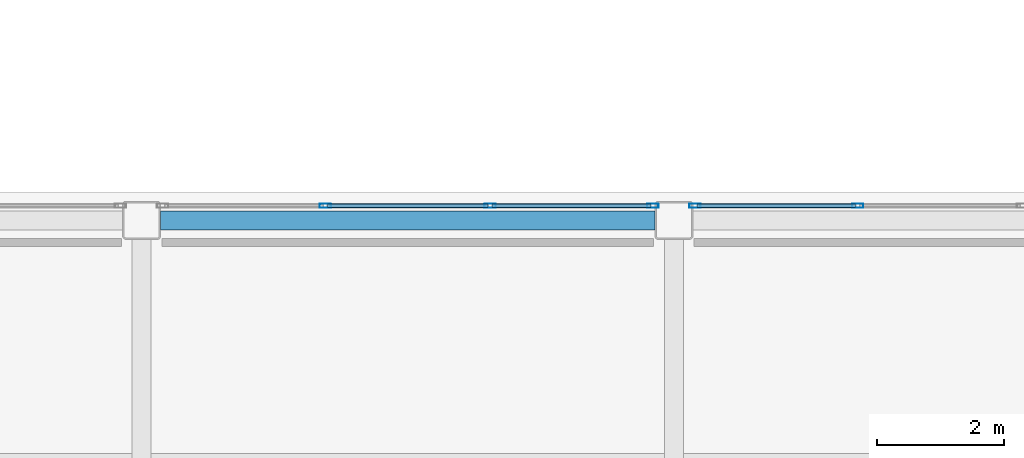
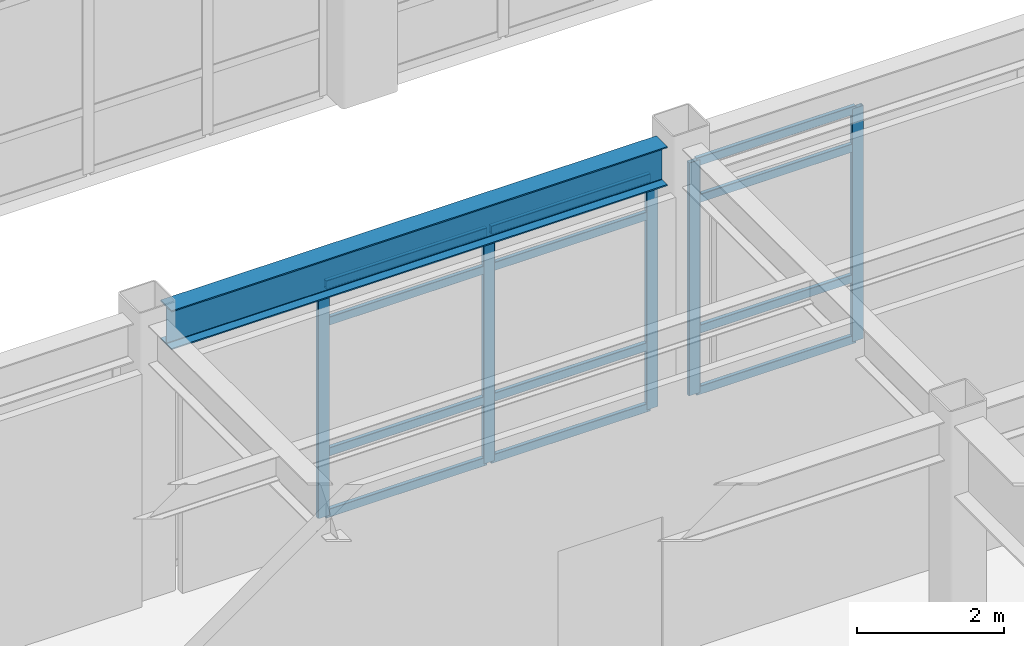
# One storey, part 31 of 172: 17 members, 1 beam, 2 elements without a shape of their own.
"""IFC4 building model written with IfcOpenShell, lengths in metres."""

import ifcopenshell
import ifcopenshell.guid

model = None  # the IFC model being written
_history = None  # IfcOwnerHistory: only IFC2X3 demands one
_inside = {}  # id of a spatial element -> (the spatial element, [elements in it])
_under = {}  # id of a project, library or spatial element -> (it, [spatial elements below it])
_declared = {}  # id of a project -> (the project, [libraries it declares])
_typed = {}  # id of a type object -> (the type object, [elements of that type])
_made_of = {}  # id of a material, layer set ... -> (it, [elements and type objects made of it])


def new_model(schema):
    """Start an empty IFC model of exactly this schema.

    Asked for "IFC4X3", IfcOpenShell would pick the latest addendum, in which some entities
    have other attributes; the version numbers below select the first issue.
    IFC2X3 requires an IfcOwnerHistory on every rooted entity: one is made here for all.
    """
    global model, _history
    if schema == "IFC4X3":
        model = ifcopenshell.file(schema_version=(4, 3, 0, 0))
    else:
        model = ifcopenshell.file(schema=schema)
    _inside.clear()
    _under.clear()
    _declared.clear()
    _typed.clear()
    _made_of.clear()
    _history = None
    if model.schema == "IFC2X3":
        org = make("IfcOrganization", Name="unknown")
        user = make(
            "IfcPersonAndOrganization",
            ThePerson=make("IfcPerson", FamilyName="unknown"),
            TheOrganization=org,
        )
        app = make(
            "IfcApplication",
            ApplicationDeveloper=org,
            Version="unknown",
            ApplicationFullName="unknown",
            ApplicationIdentifier="unknown",
        )
        _history = make(
            "IfcOwnerHistory",
            OwningUser=user,
            OwningApplication=app,
            ChangeAction="ADDED",
            CreationDate=0,
        )
    return model


def make(cls, **values):
    """One entity of the class cls with the attributes given. An attribute that is None is left unset."""
    return model.create_entity(
        cls, **{name: value for name, value in values.items() if value is not None}
    )


def rooted(cls, **values):
    """An entity with a GlobalId (a new one), such as an element, a storey or a relation."""
    return make(cls, GlobalId=ifcopenshell.guid.new(), OwnerHistory=_history, **values)


def si_unit(unit_type, name, prefix=None):
    """IfcSIUnit, for example si_unit("LENGTHUNIT", "METRE", prefix="MILLI")."""
    return make("IfcSIUnit", UnitType=unit_type, Prefix=prefix, Name=name)


def assignment(units):
    """IfcUnitAssignment: the units of a project."""
    return None if units is None else make("IfcUnitAssignment", Units=units)


def point(xyz):
    """IfcCartesianPoint."""
    return None if xyz is None else make("IfcCartesianPoint", Coordinates=xyz)


def direction(xyz):
    """IfcDirection."""
    return None if xyz is None else make("IfcDirection", DirectionRatios=xyz)


def frame(location, z_axis=None, x_axis=None):
    """IfcAxis2Placement3D, a coordinate frame: its origin and axes. An axis left out is left unset."""
    return make(
        "IfcAxis2Placement3D",
        Location=point(location),
        Axis=direction(z_axis),
        RefDirection=direction(x_axis),
    )


def frame_2d(location, x_axis=None):
    """IfcAxis2Placement2D, a coordinate frame in the plane: its origin and x axis."""
    return make(
        "IfcAxis2Placement2D", Location=point(location), RefDirection=direction(x_axis)
    )


def origin():
    """The frame at (0, 0, 0) with its axes left unset."""
    return frame((0.0, 0.0, 0.0))


def origin_2d():
    """The frame at (0, 0) in the plane with its x axis left unset."""
    return frame_2d((0.0, 0.0))


def place(relative_to, where):
    """IfcLocalPlacement: puts the frame where relative to a parent placement (None: the world)."""
    return make(
        "IfcLocalPlacement", PlacementRelTo=relative_to, RelativePlacement=where
    )


def context(
    kind, dimensions, precision=None, world=None, true_north=None, identifier=None
):
    """IfcGeometricRepresentationContext, for example the 3D "Model" context."""
    return make(
        "IfcGeometricRepresentationContext",
        ContextIdentifier=identifier,
        ContextType=kind,
        CoordinateSpaceDimension=dimensions,
        Precision=precision,
        WorldCoordinateSystem=world,
        TrueNorth=true_north,
    )


def subcontext(parent, identifier, kind, view, scale=None):
    """IfcGeometricRepresentationSubContext, for example "Body" below "Model"."""
    return make(
        "IfcGeometricRepresentationSubContext",
        ContextIdentifier=identifier,
        ContextType=kind,
        ParentContext=parent,
        TargetScale=scale,
        TargetView=view,
    )


def project(units=None, contexts=None):
    """IfcProject with its units and contexts."""
    return rooted(
        "IfcProject",
        Name="project",
        RepresentationContexts=contexts,
        UnitsInContext=assignment(units),
    )


def spatial(cls, under=None, at=None, **own):
    """A site, building, storey or space (cls), placed at a placement, below another one or the project."""
    s = rooted(cls, ObjectPlacement=at, **own)
    if under is not None:
        _under.setdefault(under.id(), (under, []))[1].append(s)
    return s


def profile(cls, at=None, kind="AREA", **sizes):
    """A parametric profile (cls). Its sizes go by their IFC names, for example OverallWidth=200.0."""
    return make(cls, ProfileType=kind, Position=at, **sizes)


def hollow_rectangle(**sizes):
    """IfcRectangleHollowProfileDef."""
    return profile("IfcRectangleHollowProfileDef", **sizes)


def i_section(**sizes):
    """IfcIShapeProfileDef."""
    return profile("IfcIShapeProfileDef", **sizes)


def extrude(swept, where, along, depth):
    """IfcExtrudedAreaSolid: the profile swept, set in the frame where, extruded along a direction by depth."""
    return make(
        "IfcExtrudedAreaSolid",
        SweptArea=swept,
        Position=where,
        ExtrudedDirection=direction(along),
        Depth=depth,
    )


def shape(context_of_items, identifier, shape_type, items):
    """IfcShapeRepresentation: the items that make up one representation, for example the "Body"."""
    return make(
        "IfcShapeRepresentation",
        ContextOfItems=context_of_items,
        RepresentationIdentifier=identifier,
        RepresentationType=shape_type,
        Items=items,
    )


def material(Name=None, Category=None):
    """IfcMaterial."""
    return make("IfcMaterial", Name=Name, Category=Category)


def layer(
    of_material, thickness, ventilated=None, Name=None, Category=None, Priority=None
):
    """IfcMaterialLayer: one layer of a wall or slab, of a material (None: an air gap)."""
    return make(
        "IfcMaterialLayer",
        Material=of_material,
        LayerThickness=thickness,
        IsVentilated=ventilated,
        Name=Name,
        Category=Category,
        Priority=Priority,
    )


def layer_set(layers, Name=None):
    """IfcMaterialLayerSet."""
    return make("IfcMaterialLayerSet", MaterialLayers=layers, LayerSetName=Name)


def material_profile(
    of_material, cross_section, Name=None, Category=None, Priority=None
):
    """IfcMaterialProfile: a cross section and its material."""
    return make(
        "IfcMaterialProfile",
        Name=Name,
        Material=of_material,
        Profile=cross_section,
        Priority=Priority,
        Category=Category,
    )


def profile_set(profiles, Name=None, composite=None):
    """IfcMaterialProfileSet."""
    return make(
        "IfcMaterialProfileSet",
        Name=Name,
        MaterialProfiles=profiles,
        CompositeProfile=composite,
    )


def made_of(thing, what):
    """Note that an element or type object is made of a material, layer set ...; save() writes the relation."""
    if what is not None:
        _made_of.setdefault(what.id(), (what, []))[1].append(thing)
    return thing


def type_object(cls, material=None, **own):
    """A type object (cls), such as IfcWallType, which elements share."""
    return made_of(rooted(cls, **own), material)


def element(
    cls,
    number,
    at=None,
    inside=None,
    cuts=None,
    type_object=None,
    material=None,
    context=None,
    identifier="Body",
    shape_type=None,
    held_by="IfcProductDefinitionShape",
    body=None,
    shapes=None,
    **own,
):
    """One element of the class cls, such as IfcWall. Its Tag is "e" and its number.

    at: its placement. inside: the storey or other place that contains it. cuts: it is an
    opening in that element (IfcRelVoidsElement). A single representation is given by context,
    identifier, shape_type and body (its items); several are given by shapes. held_by: the class
    of the entity that holds the representations. save() writes the other relations.
    """
    e = rooted(cls, Tag="e%d" % number, ObjectPlacement=at, **own)
    if body is not None:
        shapes = [shape(context, identifier, shape_type, body)]
    if shapes is not None:
        e.Representation = make(held_by, Representations=shapes)
    if inside is not None:
        _inside.setdefault(inside.id(), (inside, []))[1].append(e)
    if cuts is not None:
        rooted(
            "IfcRelVoidsElement", RelatingBuildingElement=cuts, RelatedOpeningElement=e
        )
    if type_object is not None:
        _typed.setdefault(type_object.id(), (type_object, []))[1].append(e)
    return made_of(e, material)


def aggregate(whole, parts):
    """IfcRelAggregates: a whole, such as a stair, and the parts it consists of."""
    return rooted("IfcRelAggregates", RelatingObject=whole, RelatedObjects=parts)


def save(model, path):
    """Write the relations noted so far, then the file.

    IfcRelAggregates (storeys below a building ...), IfcRelContainedInSpatialStructure (elements
    in a storey), IfcRelDefinesByType, IfcRelAssociatesMaterial and IfcRelDeclares: one each for
    every whole, place, type object, material and project.
    """
    for whole, parts in _under.values():
        aggregate(whole, parts)
    for where, things in _inside.values():
        rooted(
            "IfcRelContainedInSpatialStructure",
            RelatedElements=things,
            RelatingStructure=where,
        )
    for kind, things in _typed.values():
        rooted("IfcRelDefinesByType", RelatedObjects=things, RelatingType=kind)
    for what, things in _made_of.values():
        rooted("IfcRelAssociatesMaterial", RelatedObjects=things, RelatingMaterial=what)
    for by, libraries in _declared.values():
        rooted("IfcRelDeclares", RelatingContext=by, RelatedDefinitions=libraries)
    model.write(path)


model = new_model("IFC4")

# Units and contexts
model_context = context("Model", 3, precision=1e-05, world=origin(), true_north=direction((0.0, 1.0)))
body_context = subcontext(model_context, "Body", "Model", "MODEL_VIEW")
ifc_project = project(units=[si_unit("LENGTHUNIT", "METRE"), si_unit("AREAUNIT", "SQUARE_METRE"), si_unit("VOLUMEUNIT", "CUBIC_METRE"), si_unit("PLANEANGLEUNIT", "RADIAN"), si_unit("MASSUNIT", "GRAM", prefix="KILO")], contexts=[model_context])

# Site, building, storey
site_placement = place(None, origin())
site = spatial("IfcSite", under=ifc_project, at=site_placement, CompositionType="ELEMENT")
building_placement = place(site_placement, origin())
building = spatial("IfcBuilding", under=site, at=building_placement, Name="Kazehara Bluff Congress Hotel", CompositionType="ELEMENT")
storey_placement = place(building_placement, frame((0.0, 0.0, 5.39990234375)))
storey = spatial("IfcBuildingStorey", under=building, at=storey_placement, Name="L01", CompositionType="ELEMENT", Elevation=5.39990234375)

# Curtain wall, members
ifc_material_1 = material(Name="Anodised aluminium", Category="aluminium")
ifc_layer = layer(ifc_material_1, 0.159912109375)
ifc_layer_set = layer_set([ifc_layer], Name="Anodised aluminium")
curtain_wall_type = type_object("IfcCurtainWallType", Name="TP-CW-29", PredefinedType="NOTDEFINED", material=ifc_layer_set)
curtain_wall_1_placement = place(storey_placement, origin())
curtain_wall_1 = element("IfcCurtainWall", 1, at=curtain_wall_1_placement, inside=storey, type_object=curtain_wall_type, Name="L01 curtain wall CW-29 CW-ENC-V2-L01-3780-3978", PredefinedType="NOTDEFINED")
ifc_material_2 = material(Name="Anodised aluminium", Category="aluminium")
ifc_material_profile_1 = material_profile(ifc_material_2, hollow_rectangle(XDim=0.06494140625, YDim=0.179931640625, WallThickness=0.00390625, InnerFilletRadius=0.00390625, OuterFilletRadius=0.008056640625, at=origin_2d()))
ifc_profile_set_1 = profile_set([ifc_material_profile_1], Name="Anodised aluminium")
member_type_1 = type_object("IfcMemberType", Name="TP-CWM-02", PredefinedType="MULLION", material=ifc_profile_set_1)
member_1_placement = place(storey_placement, frame((36.5, 39.780029296875, 0.0), z_axis=(0.0, 0.0, 1.0), x_axis=(0.0, 1.0, 0.0)))
member_1 = element("IfcMember", 2, at=member_1_placement, type_object=member_type_1, Name="CW-29 mullion 2", PredefinedType="MULLION", context=body_context, shape_type="SweptSolid", body=[
    extrude(hollow_rectangle(XDim=0.06494140625, YDim=0.179931640625, WallThickness=0.00390625, InnerFilletRadius=0.00390625, OuterFilletRadius=0.008056640625, at=origin_2d()), origin(), (0.0, 0.0, 1.0), 3.875),
])
member_2_placement = place(storey_placement, frame((39.10009765625, 39.780029296875, 0.0), z_axis=(0.0, 0.0, 1.0), x_axis=(0.0, 1.0, 0.0)))
member_2 = element("IfcMember", 3, at=member_2_placement, type_object=member_type_1, Name="CW-29 mullion 3", PredefinedType="MULLION", context=body_context, shape_type="SweptSolid", body=[
    extrude(hollow_rectangle(XDim=0.06494140625, YDim=0.179931640625, WallThickness=0.00390625, InnerFilletRadius=0.00390625, OuterFilletRadius=0.008056640625, at=origin_2d()), origin(), (0.0, 0.0, 1.0), 3.875),
])
member_3_placement = place(storey_placement, frame((41.66748046875, 39.780029296875, 0.0), z_axis=(0.0, 0.0, 1.0), x_axis=(0.0, 1.0, 0.0)))
member_3 = element("IfcMember", 4, at=member_3_placement, type_object=member_type_1, Name="CW-29 mullion 4", PredefinedType="MULLION", context=body_context, shape_type="SweptSolid", body=[
    extrude(hollow_rectangle(XDim=0.06494140625, YDim=0.179931640625, WallThickness=0.00390625, InnerFilletRadius=0.00390625, OuterFilletRadius=0.008056640625, at=origin_2d()), origin(), (0.0, 0.0, 1.0), 3.875),
])

curtain_wall_2_placement = place(storey_placement, origin())
curtain_wall_2 = element("IfcCurtainWall", 5, at=curtain_wall_2_placement, inside=storey, type_object=curtain_wall_type, Name="L01 curtain wall CW-29 CW-ENC-V2-L01-4620-3978", PredefinedType="NOTDEFINED")
member_4_placement = place(storey_placement, frame((42.33251953125, 39.780029296875, 0.0), z_axis=(0.0, 0.0, 1.0), x_axis=(0.0, 1.0, 0.0)))
member_4 = element("IfcMember", 6, at=member_4_placement, type_object=member_type_1, Name="CW-29 mullion 1", PredefinedType="MULLION", context=body_context, shape_type="SweptSolid", body=[
    extrude(hollow_rectangle(XDim=0.06494140625, YDim=0.179931640625, WallThickness=0.00390625, InnerFilletRadius=0.00390625, OuterFilletRadius=0.008056640625, at=origin_2d()), origin(), (0.0, 0.0, 1.0), 3.875),
])
member_5_placement = place(storey_placement, frame((44.89990234375, 39.780029296875, 0.0), z_axis=(0.0, 0.0, 1.0), x_axis=(0.0, 1.0, 0.0)))
member_5 = element("IfcMember", 7, at=member_5_placement, type_object=member_type_1, Name="CW-29 mullion 2", PredefinedType="MULLION", context=body_context, shape_type="SweptSolid", body=[
    extrude(hollow_rectangle(XDim=0.06494140625, YDim=0.179931640625, WallThickness=0.00390625, InnerFilletRadius=0.00390625, OuterFilletRadius=0.008056640625, at=origin_2d()), origin(), (0.0, 0.0, 1.0), 3.875),
])

# Member
ifc_material_3 = material(Name="Anodised aluminium", Category="aluminium")
ifc_material_profile_2 = material_profile(ifc_material_3, hollow_rectangle(XDim=0.06494140625, YDim=0.139892578125, WallThickness=0.00390625, InnerFilletRadius=0.00390625, OuterFilletRadius=0.008056640625, at=origin_2d()))
ifc_profile_set_2 = profile_set([ifc_material_profile_2], Name="Anodised aluminium")
member_type_2 = type_object("IfcMemberType", Name="TP-CWT-02", PredefinedType="USERDEFINED", material=ifc_profile_set_2)
member_6_placement = place(storey_placement, frame((36.532470703125, 39.780029296875, 0.03271484375), z_axis=(1.0, 0.0, 0.0), x_axis=(0.0, 1.0, 0.0)))
member_6 = element("IfcMember", 8, at=member_6_placement, type_object=member_type_2, Name="CW-29 transom 2.1", ObjectType="TRANSOM", PredefinedType="USERDEFINED", context=body_context, shape_type="SweptSolid", body=[
    extrude(hollow_rectangle(XDim=0.06494140625, YDim=0.139892578125, WallThickness=0.00390625, InnerFilletRadius=0.00390625, OuterFilletRadius=0.008056640625, at=origin_2d()), origin(), (0.0, 0.0, 1.0), 2.534912109375),
])

member_7_placement = place(storey_placement, frame((36.532470703125, 39.780029296875, 1.050048828125), z_axis=(1.0, 0.0, 0.0), x_axis=(0.0, 1.0, 0.0)))
member_7 = element("IfcMember", 9, at=member_7_placement, type_object=member_type_2, Name="CW-29 transom 2.2", ObjectType="TRANSOM", PredefinedType="USERDEFINED", context=body_context, shape_type="SweptSolid", body=[
    extrude(hollow_rectangle(XDim=0.06494140625, YDim=0.139892578125, WallThickness=0.00390625, InnerFilletRadius=0.00390625, OuterFilletRadius=0.008056640625, at=origin_2d()), origin(), (0.0, 0.0, 1.0), 2.534912109375),
])

member_8_placement = place(storey_placement, frame((36.532470703125, 39.780029296875, 3.22509765625), z_axis=(1.0, 0.0, 0.0), x_axis=(0.0, 1.0, 0.0)))
member_8 = element("IfcMember", 10, at=member_8_placement, type_object=member_type_2, Name="CW-29 transom 2.3", ObjectType="TRANSOM", PredefinedType="USERDEFINED", context=body_context, shape_type="SweptSolid", body=[
    extrude(hollow_rectangle(XDim=0.06494140625, YDim=0.139892578125, WallThickness=0.00390625, InnerFilletRadius=0.00390625, OuterFilletRadius=0.008056640625, at=origin_2d()), origin(), (0.0, 0.0, 1.0), 2.534912109375),
])

member_9_placement = place(storey_placement, frame((36.532470703125, 39.780029296875, 3.842529296875), z_axis=(1.0, 0.0, 0.0), x_axis=(0.0, 1.0, 0.0)))
member_9 = element("IfcMember", 11, at=member_9_placement, type_object=member_type_2, Name="CW-29 transom 2.4", ObjectType="TRANSOM", PredefinedType="USERDEFINED", context=body_context, shape_type="SweptSolid", body=[
    extrude(hollow_rectangle(XDim=0.06494140625, YDim=0.139892578125, WallThickness=0.00390625, InnerFilletRadius=0.00390625, OuterFilletRadius=0.008056640625, at=origin_2d()), origin(), (0.0, 0.0, 1.0), 2.534912109375),
])

member_10_placement = place(storey_placement, frame((39.132568359375, 39.780029296875, 0.03271484375), z_axis=(1.0, 0.0, 0.0), x_axis=(0.0, 1.0, 0.0)))
member_10 = element("IfcMember", 12, at=member_10_placement, type_object=member_type_2, Name="CW-29 transom 3.1", ObjectType="TRANSOM", PredefinedType="USERDEFINED", context=body_context, shape_type="SweptSolid", body=[
    extrude(hollow_rectangle(XDim=0.06494140625, YDim=0.139892578125, WallThickness=0.00390625, InnerFilletRadius=0.00390625, OuterFilletRadius=0.008056640625, at=origin_2d()), origin(), (0.0, 0.0, 1.0), 2.50244140625),
])

member_11_placement = place(storey_placement, frame((39.132568359375, 39.780029296875, 1.050048828125), z_axis=(1.0, 0.0, 0.0), x_axis=(0.0, 1.0, 0.0)))
member_11 = element("IfcMember", 13, at=member_11_placement, type_object=member_type_2, Name="CW-29 transom 3.2", ObjectType="TRANSOM", PredefinedType="USERDEFINED", context=body_context, shape_type="SweptSolid", body=[
    extrude(hollow_rectangle(XDim=0.06494140625, YDim=0.139892578125, WallThickness=0.00390625, InnerFilletRadius=0.00390625, OuterFilletRadius=0.008056640625, at=origin_2d()), origin(), (0.0, 0.0, 1.0), 2.50244140625),
])

member_12_placement = place(storey_placement, frame((39.132568359375, 39.780029296875, 3.22509765625), z_axis=(1.0, 0.0, 0.0), x_axis=(0.0, 1.0, 0.0)))
member_12 = element("IfcMember", 14, at=member_12_placement, type_object=member_type_2, Name="CW-29 transom 3.3", ObjectType="TRANSOM", PredefinedType="USERDEFINED", context=body_context, shape_type="SweptSolid", body=[
    extrude(hollow_rectangle(XDim=0.06494140625, YDim=0.139892578125, WallThickness=0.00390625, InnerFilletRadius=0.00390625, OuterFilletRadius=0.008056640625, at=origin_2d()), origin(), (0.0, 0.0, 1.0), 2.50244140625),
])

member_13_placement = place(storey_placement, frame((39.132568359375, 39.780029296875, 3.842529296875), z_axis=(1.0, 0.0, 0.0), x_axis=(0.0, 1.0, 0.0)))
member_13 = element("IfcMember", 15, at=member_13_placement, type_object=member_type_2, Name="CW-29 transom 3.4", ObjectType="TRANSOM", PredefinedType="USERDEFINED", context=body_context, shape_type="SweptSolid", body=[
    extrude(hollow_rectangle(XDim=0.06494140625, YDim=0.139892578125, WallThickness=0.00390625, InnerFilletRadius=0.00390625, OuterFilletRadius=0.008056640625, at=origin_2d()), origin(), (0.0, 0.0, 1.0), 2.50244140625),
])

aggregate(curtain_wall_1, [member_1, member_2, member_3, member_6, member_7, member_8, member_9, member_10, member_11, member_12, member_13])

member_14_placement = place(storey_placement, frame((42.364990234375, 39.780029296875, 0.03271484375), z_axis=(1.0, 0.0, 0.0), x_axis=(0.0, 1.0, 0.0)))
member_14 = element("IfcMember", 16, at=member_14_placement, type_object=member_type_2, Name="CW-29 transom 1.1", ObjectType="TRANSOM", PredefinedType="USERDEFINED", context=body_context, shape_type="SweptSolid", body=[
    extrude(hollow_rectangle(XDim=0.06494140625, YDim=0.139892578125, WallThickness=0.00390625, InnerFilletRadius=0.00390625, OuterFilletRadius=0.008056640625, at=origin_2d()), origin(), (0.0, 0.0, 1.0), 2.50244140625),
])

member_15_placement = place(storey_placement, frame((42.364990234375, 39.780029296875, 1.050048828125), z_axis=(1.0, 0.0, 0.0), x_axis=(0.0, 1.0, 0.0)))
member_15 = element("IfcMember", 17, at=member_15_placement, type_object=member_type_2, Name="CW-29 transom 1.2", ObjectType="TRANSOM", PredefinedType="USERDEFINED", context=body_context, shape_type="SweptSolid", body=[
    extrude(hollow_rectangle(XDim=0.06494140625, YDim=0.139892578125, WallThickness=0.00390625, InnerFilletRadius=0.00390625, OuterFilletRadius=0.008056640625, at=origin_2d()), origin(), (0.0, 0.0, 1.0), 2.50244140625),
])

member_16_placement = place(storey_placement, frame((42.364990234375, 39.780029296875, 3.22509765625), z_axis=(1.0, 0.0, 0.0), x_axis=(0.0, 1.0, 0.0)))
member_16 = element("IfcMember", 18, at=member_16_placement, type_object=member_type_2, Name="CW-29 transom 1.3", ObjectType="TRANSOM", PredefinedType="USERDEFINED", context=body_context, shape_type="SweptSolid", body=[
    extrude(hollow_rectangle(XDim=0.06494140625, YDim=0.139892578125, WallThickness=0.00390625, InnerFilletRadius=0.00390625, OuterFilletRadius=0.008056640625, at=origin_2d()), origin(), (0.0, 0.0, 1.0), 2.50244140625),
])

member_17_placement = place(storey_placement, frame((42.364990234375, 39.780029296875, 3.842529296875), z_axis=(1.0, 0.0, 0.0), x_axis=(0.0, 1.0, 0.0)))
member_17 = element("IfcMember", 19, at=member_17_placement, type_object=member_type_2, Name="CW-29 transom 1.4", ObjectType="TRANSOM", PredefinedType="USERDEFINED", context=body_context, shape_type="SweptSolid", body=[
    extrude(hollow_rectangle(XDim=0.06494140625, YDim=0.139892578125, WallThickness=0.00390625, InnerFilletRadius=0.00390625, OuterFilletRadius=0.008056640625, at=origin_2d()), origin(), (0.0, 0.0, 1.0), 2.50244140625),
])

aggregate(curtain_wall_2, [member_4, member_5, member_14, member_15, member_16, member_17])

# Beam
ifc_material_4 = material(Name="Steel SN490B", Category="steel")
ifc_material_profile_3 = material_profile(ifc_material_4, i_section(OverallWidth=0.300048828125, OverallDepth=0.64990234375, WebThickness=0.011962890625, FlangeThickness=0.02001953125, FilletRadius=0.012939453125, at=origin_2d()))
ifc_profile_set_3 = profile_set([ifc_material_profile_3], Name="Steel SN490B")
beam_type = type_object("IfcBeamType", Name="TP-G-03", PredefinedType="BEAM", material=ifc_profile_set_3)
beam_placement = place(storey_placement, frame((33.89990234375, 39.550048828125, 4.22509765625), z_axis=(1.0, 0.0, 0.0), x_axis=(0.0, 1.0, 0.0)))
element("IfcBeam", 20, at=beam_placement, inside=storey, type_object=beam_type, Name="L01 girder G-03 96", PredefinedType="BEAM", context=body_context, shape_type="SweptSolid", body=[
    extrude(i_section(OverallWidth=0.300048828125, OverallDepth=0.64990234375, WebThickness=0.011962890625, FlangeThickness=0.02001953125, FilletRadius=0.012939453125, at=origin_2d()), origin(), (0.0, 0.0, 1.0), 7.800048828125),
])

save(model, "model.ifc")
